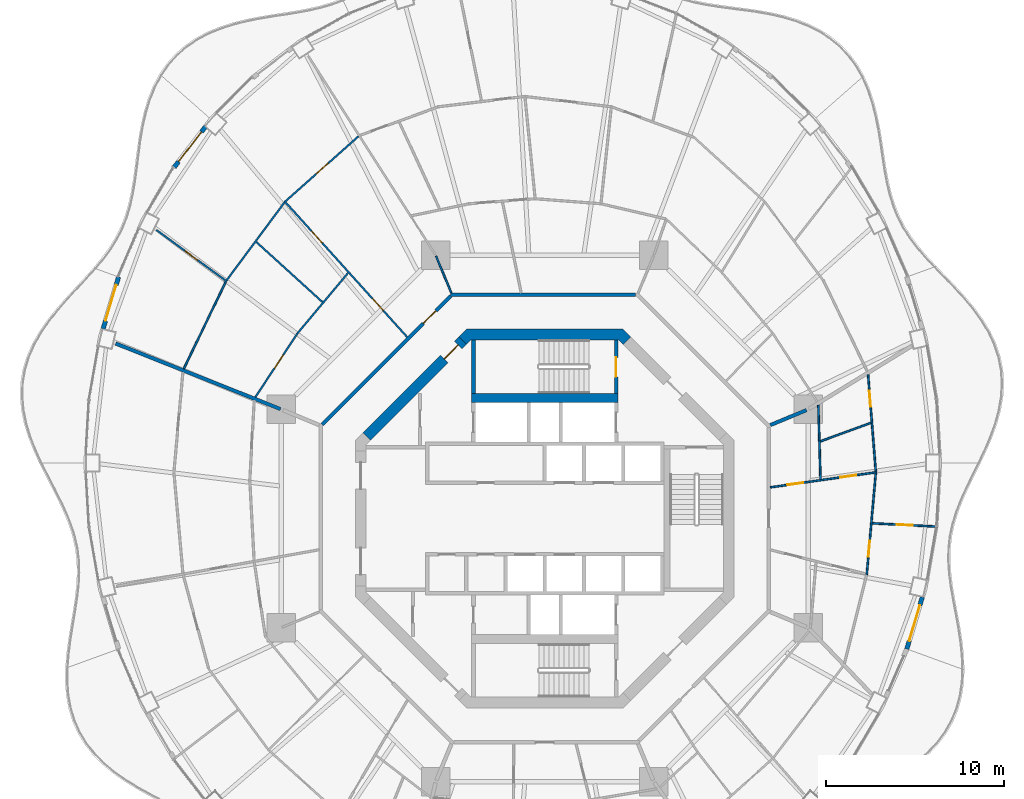
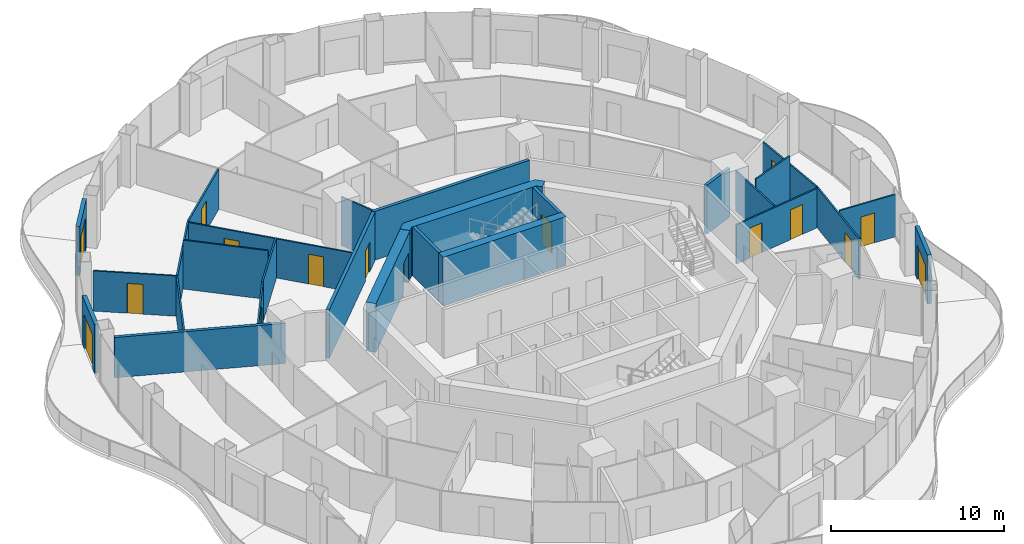
# One storey, part 13 of 18: 27 walls, 16 doors, 16 openings.
"""IFC4 building model written with IfcOpenShell, lengths in metres."""

from ifc_helpers import new_model, si_unit, direction, frame, frame_2d, origin, place, context, subcontext, project, spatial, polyline, rectangle, outline, extrude, material, layer, layer_set, type_object, element, fill, save


model = new_model("IFC4")

# Units and contexts
model_context = context("Model", 3, precision=1e-05, world=origin(), true_north=direction((0.0, 1.0)))
body_context = subcontext(model_context, "Body", "Model", "MODEL_VIEW")
ifc_project = project(units=[si_unit("LENGTHUNIT", "METRE"), si_unit("AREAUNIT", "SQUARE_METRE"), si_unit("VOLUMEUNIT", "CUBIC_METRE"), si_unit("PLANEANGLEUNIT", "RADIAN"), si_unit("MASSUNIT", "GRAM", prefix="KILO")], contexts=[model_context])

# Site, building, storey
site_placement = place(None, origin())
site = spatial("IfcSite", under=ifc_project, at=site_placement, CompositionType="ELEMENT")
building_placement = place(site_placement, origin())
building = spatial("IfcBuilding", under=site, at=building_placement, Name="Nagisa Residences", CompositionType="ELEMENT")
storey_placement = place(building_placement, frame((0.0, 0.0, 234.39990234375)))
storey = spatial("IfcBuildingStorey", under=building, at=storey_placement, Name="L59", CompositionType="ELEMENT", Elevation=234.39990234375)

# Walls
ifc_material_1 = material(Name="Gypsum board on steel studs", Category="steel")
ifc_layer_1 = layer(ifc_material_1, 0.199951171875)
ifc_layer_set_1 = layer_set([ifc_layer_1], Name="Apartment compartment wall EI60 200")
wall_type_1 = type_object("IfcWallType", Name="Apartment compartment wall EI60 200", PredefinedType="PARTITIONING", material=ifc_layer_set_1)
wall_1_placement = place(storey_placement, frame((12.6572265625, 5.24267578125, 0.0), z_axis=(0.0, 0.0, 1.0), x_axis=(0.92383017907, 0.382802560388, 0.0)))
element("IfcWall", 1, at=wall_1_placement, inside=storey, type_object=wall_type_1, Name="wall:L59:u00", PredefinedType="PARTITIONING", context=body_context, shape_type="SweptSolid", body=[
    extrude(rectangle(XDim=2.2001953125, YDim=0.199951171875, at=frame_2d((1.10009765625, 0.0))), origin(), (0.0, 0.0, 1.0), 3.440185546875),
])
wall_2_placement = place(storey_placement, frame((-14.82861328125, 6.141357421875, 0.0), z_axis=(0.0, 0.0, 1.0), x_axis=(-0.929202069098, 0.36957206981, 0.0)))
element("IfcWall", 2, at=wall_2_placement, inside=storey, type_object=wall_type_1, Name="wall:L59:u03", PredefinedType="PARTITIONING", context=body_context, shape_type="SweptSolid", body=[
    extrude(rectangle(XDim=9.95654296875, YDim=0.199951171875, at=frame_2d((4.978271484375, 0.0))), origin(), (0.0, 0.0, 1.0), 2.837158203125),
])
ifc_material_2 = material(Name="Gypsum board on steel studs", Category="steel")
ifc_layer_2 = layer(ifc_material_2, 0.199951171875)
ifc_layer_set_2 = layer_set([ifc_layer_2], Name="Apartment entry wall EI60 200")
wall_type_2 = type_object("IfcWallType", Name="Apartment entry wall EI60 200", PredefinedType="PARTITIONING", material=ifc_layer_set_2)
wall_3_placement = place(storey_placement, frame((5.1044921875, 12.564697265625, 0.0), z_axis=(0.0, 0.0, 1.0), x_axis=(-1.0, 0.0, 0.0)))
element("IfcWall", 3, at=wall_3_placement, inside=storey, type_object=wall_type_2, Name="wall:L59:u12", PredefinedType="PARTITIONING", context=body_context, shape_type="SweptSolid", body=[
    extrude(rectangle(XDim=10.408935546875, YDim=0.199951171875, at=frame_2d((5.20458984375, 0.0))), origin(), (0.0, 0.0, 1.0), 3.440185546875),
])

# Wall, opening, door
wall_4_placement = place(storey_placement, frame((-5.275146484375, 12.494140625, 0.0), z_axis=(0.0, 0.0, 1.0), x_axis=(-0.707106781187, -0.707106781187, 0.0)))
wall_4 = element("IfcWall", 4, at=wall_4_placement, inside=storey, type_object=wall_type_2, Name="wall:L59:u13", PredefinedType="PARTITIONING", context=body_context, shape_type="SweptSolid", body=[
    extrude(rectangle(XDim=10.209228515625, YDim=0.199951171875, at=frame_2d((5.1044921875, 0.0))), origin(), (0.0, 0.0, 1.0), 3.440185546875),
])
opening_1_placement = place(wall_4_placement, frame((1.184814453125, 0.0, 0.0)))
opening_1 = element("IfcOpeningElement", 5, at=opening_1_placement, cuts=wall_4, Name="Opening L59-U37", PredefinedType="OPENING", context=body_context, shape_type="SweptSolid", body=[
    extrude(rectangle(XDim=1.0, YDim=2.10009765625, at=frame_2d((0.5, 1.050048828125))), frame((0.0, 0.10986328125, 0.0), z_axis=(0.0, -1.0, 0.0), x_axis=(1.0, 0.0, 0.0)), (0.0, 0.0, 1.0), 0.219970703125),
])
ifc_material_3 = material(Name="Timber fire door set", Category="wood")
door_type_1 = type_object("IfcDoorType", Name="Apartment entry door FD30S 1000x2100", OperationType="NOTDEFINED", PredefinedType="DOOR", material=ifc_material_3)
door_1_placement = place(opening_1_placement, frame((1.0, 0.0, 0.0), x_axis=(-1.0, 0.0, 0.0)))
door_1 = element("IfcDoor", 6, at=door_1_placement, inside=storey, type_object=door_type_1, Name="Entry door, Apartment 59E", OperationType="SINGLE_SWING_RIGHT", OverallHeight=2.10009765625, OverallWidth=1.0, PredefinedType="DOOR", context=body_context, shape_type="SweptSolid", body=[
    extrude(rectangle(XDim=1.0, YDim=2.10009765625, at=frame_2d((0.5, 1.050048828125))), frame((0.0, 0.02490234375, 0.0), z_axis=(0.0, -1.0, 0.0), x_axis=(1.0, 0.0, 0.0)), (0.0, 0.0, 1.0), 0.050048828125),
])
fill(opening_1, door_1)

# Wall, openings, doors
ifc_material_4 = material(Name="Gypsum board on steel studs", Category="steel")
ifc_layer_3 = layer(ifc_material_4, 0.10009765625)
ifc_layer_set_3 = layer_set([ifc_layer_3], Name="Apartment partition 100")
wall_type_3 = type_object("IfcWallType", Name="Apartment partition 100", PredefinedType="PARTITIONING", material=ifc_layer_set_3)
wall_5_placement = place(storey_placement, frame((12.663818359375, 1.7490234375, 0.0), z_axis=(0.0, 0.0, 1.0), x_axis=(0.990000460163, 0.141064130369, 0.0)))
wall_5 = element("IfcWall", 7, at=wall_5_placement, inside=storey, type_object=wall_type_3, Name="wall:L59:u18", PredefinedType="PARTITIONING", context=body_context, shape_type="SweptSolid", body=[
    extrude(rectangle(XDim=6.028076171875, YDim=0.10009765625, at=frame_2d((3.01416015625, 0.0))), origin(), (0.0, 0.0, 1.0), 2.76220703125),
])
opening_2_placement = place(wall_5_placement, frame((0.970458984375, 0.0, 0.0)))
opening_2 = element("IfcOpeningElement", 8, at=opening_2_placement, cuts=wall_5, Name="Opening L59-U31", PredefinedType="OPENING", context=body_context, shape_type="SweptSolid", body=[
    extrude(rectangle(XDim=0.89990234375, YDim=2.10009765625, at=frame_2d((0.449951171875, 1.050048828125))), frame((0.0, 0.06005859375, 0.0), z_axis=(0.0, -1.0, 0.0), x_axis=(1.0, 0.0, 0.0)), (0.0, 0.0, 1.0), 0.1201171875),
])
opening_3_placement = place(wall_5_placement, frame((3.95947265625, 0.0, 0.0)))
opening_3 = element("IfcOpeningElement", 9, at=opening_3_placement, cuts=wall_5, Name="Opening L59-U33", PredefinedType="OPENING", context=body_context, shape_type="SweptSolid", body=[
    extrude(rectangle(XDim=0.89990234375, YDim=2.10009765625, at=frame_2d((0.449951171875, 1.050048828125))), frame((0.0, 0.06005859375, 0.0), z_axis=(0.0, -1.0, 0.0), x_axis=(1.0, 0.0, 0.0)), (0.0, 0.0, 1.0), 0.1201171875),
])
ifc_material_5 = material(Name="Timber door set", Category="wood")
door_type_2 = type_object("IfcDoorType", Name="Apartment door 900x2100", OperationType="NOTDEFINED", PredefinedType="DOOR", material=ifc_material_5)
door_2_placement = place(opening_2_placement, origin())
door_2 = element("IfcDoor", 10, at=door_2_placement, inside=storey, type_object=door_type_2, Name="Door to family bathroom, Apartment 59D", OperationType="SINGLE_SWING_LEFT", OverallHeight=2.10009765625, OverallWidth=0.89990234375, PredefinedType="DOOR", context=body_context, shape_type="SweptSolid", body=[
    extrude(rectangle(XDim=0.89990234375, YDim=2.10009765625, at=frame_2d((0.449951171875, 1.050048828125))), frame((0.0, 0.02490234375, 0.0), z_axis=(0.0, -1.0, 0.0), x_axis=(1.0, 0.0, 0.0)), (0.0, 0.0, 1.0), 0.050048828125),
])
fill(opening_2, door_2)
door_3_placement = place(opening_3_placement, origin())
door_3 = element("IfcDoor", 11, at=door_3_placement, inside=storey, type_object=door_type_2, Name="Door to family bathroom, Apartment 59D", OperationType="SINGLE_SWING_LEFT", OverallHeight=2.10009765625, OverallWidth=0.89990234375, PredefinedType="DOOR", context=body_context, shape_type="SweptSolid", body=[
    extrude(rectangle(XDim=0.89990234375, YDim=2.10009765625, at=frame_2d((0.449951171875, 1.050048828125))), frame((0.0, 0.02490234375, 0.0), z_axis=(0.0, -1.0, 0.0), x_axis=(1.0, 0.0, 0.0)), (0.0, 0.0, 1.0), 0.050048828125),
])
fill(opening_3, door_3)

# Wall
wall_6_placement = place(storey_placement, frame((15.474853515625, 2.19970703125, 0.0), z_axis=(0.0, 0.0, 1.0), x_axis=(-0.029254623973, 0.999571991893, 0.0)))
element("IfcWall", 12, at=wall_6_placement, inside=storey, type_object=wall_type_3, Name="wall:L59:u19", PredefinedType="PARTITIONING", context=body_context, shape_type="SweptSolid", body=[
    extrude(rectangle(XDim=4.172607421875, YDim=0.10009765625, at=frame_2d((2.08642578125, 0.0))), origin(), (0.0, 0.0, 1.0), 2.837158203125),
])

# Wall, opening, door
wall_7_placement = place(storey_placement, frame((18.578125, 2.64208984375, 0.0), z_axis=(0.0, 0.0, 1.0), x_axis=(-0.079188322924, 0.996859673932, 0.0)))
wall_7 = element("IfcWall", 13, at=wall_7_placement, inside=storey, type_object=wall_type_3, Name="wall:L59:u20", PredefinedType="PARTITIONING", context=body_context, shape_type="SweptSolid", body=[
    extrude(rectangle(XDim=5.453857421875, YDim=0.10009765625, at=frame_2d((2.72705078125, 0.0))), origin(), (0.0, 0.0, 1.0), 2.837158203125),
])
opening_4_placement = place(wall_7_placement, frame((3.653076171875, 0.0, 0.0)))
opening_4 = element("IfcOpeningElement", 14, at=opening_4_placement, cuts=wall_7, Name="Opening L59-U36", PredefinedType="OPENING", context=body_context, shape_type="SweptSolid", body=[
    extrude(rectangle(XDim=0.89990234375, YDim=2.10009765625, at=frame_2d((0.449951171875, 1.050048828125))), frame((0.0, 0.06005859375, 0.0), z_axis=(0.0, -1.0, 0.0), x_axis=(1.0, 0.0, 0.0)), (0.0, 0.0, 1.0), 0.1201171875),
])
door_4_placement = place(opening_4_placement, origin())
door_4 = element("IfcDoor", 15, at=door_4_placement, inside=storey, type_object=door_type_2, Name="Door to en-suite bathroom, Apartment 59D", OperationType="SINGLE_SWING_RIGHT", OverallHeight=2.10009765625, OverallWidth=0.89990234375, PredefinedType="DOOR", context=body_context, shape_type="SweptSolid", body=[
    extrude(rectangle(XDim=0.89990234375, YDim=2.10009765625, at=frame_2d((0.449951171875, 1.050048828125))), frame((0.0, 0.02490234375, 0.0), z_axis=(0.0, -1.0, 0.0), x_axis=(1.0, 0.0, 0.0)), (0.0, 0.0, 1.0), 0.050048828125),
])
fill(opening_4, door_4)

wall_8_placement = place(storey_placement, frame((18.57763671875, 2.54248046875, 0.0), z_axis=(0.0, 0.0, 1.0), x_axis=(-0.088651453697, -0.996062708748, 0.0)))
wall_8 = element("IfcWall", 16, at=wall_8_placement, inside=storey, type_object=wall_type_3, Name="wall:L59:u21", PredefinedType="PARTITIONING", context=body_context, shape_type="SweptSolid", body=[
    extrude(rectangle(XDim=5.736572265625, YDim=0.10009765625, at=frame_2d((2.8681640625, 0.0))), origin(), (0.0, 0.0, 1.0), 2.837158203125),
])
opening_5_placement = place(wall_8_placement, frame((3.80224609375, 0.0, 0.0)))
opening_5 = element("IfcOpeningElement", 17, at=opening_5_placement, cuts=wall_8, Name="Opening L59-U34", PredefinedType="OPENING", context=body_context, shape_type="SweptSolid", body=[
    extrude(rectangle(XDim=0.89990234375, YDim=2.10009765625, at=frame_2d((0.449951171875, 1.050048828125))), frame((0.0, 0.06005859375, 0.0), z_axis=(0.0, -1.0, 0.0), x_axis=(1.0, 0.0, 0.0)), (0.0, 0.0, 1.0), 0.1201171875),
])
door_5_placement = place(opening_5_placement, origin())
door_5 = element("IfcDoor", 18, at=door_5_placement, inside=storey, type_object=door_type_2, Name="Door to study, Apartment 59D", OperationType="SINGLE_SWING_RIGHT", OverallHeight=2.10009765625, OverallWidth=0.89990234375, PredefinedType="DOOR", context=body_context, shape_type="SweptSolid", body=[
    extrude(rectangle(XDim=0.89990234375, YDim=2.10009765625, at=frame_2d((0.449951171875, 1.050048828125))), frame((0.0, 0.02490234375, 0.0), z_axis=(0.0, -1.0, 0.0), x_axis=(1.0, 0.0, 0.0)), (0.0, 0.0, 1.0), 0.050048828125),
])
fill(opening_5, door_5)

# Walls
wall_9_placement = place(storey_placement, frame((15.4599609375, 4.327392578125, 0.0), z_axis=(0.0, 0.0, 1.0), x_axis=(0.939452643938, 0.342678755977, 0.0)))
element("IfcWall", 19, at=wall_9_placement, inside=storey, type_object=wall_type_3, Name="wall:L59:u22", PredefinedType="PARTITIONING", context=body_context, shape_type="SweptSolid", body=[
    extrude(rectangle(XDim=3.037109375, YDim=0.10009765625, at=frame_2d((1.5185546875, 0.0))), origin(), (0.0, 0.0, 1.0), 3.440185546875),
])
wall_10_placement = place(storey_placement, frame((-5.24267578125, 12.6572265625, 0.0), z_axis=(0.0, 0.0, 1.0), x_axis=(-0.382757529444, 0.923848837015, 0.0)))
element("IfcWall", 20, at=wall_10_placement, inside=storey, type_object=wall_type_3, Name="wall:L59:u48", PredefinedType="PARTITIONING", context=body_context, shape_type="SweptSolid", body=[
    extrude(rectangle(XDim=2.249755859375, YDim=0.10009765625, at=frame_2d((1.125, 0.0))), origin(), (0.0, 0.0, 1.0), 3.440185546875),
])

# Wall, opening, door
wall_11_placement = place(storey_placement, frame((-10.450439453125, 21.455322265625, 0.0), z_axis=(0.0, 0.0, 1.0), x_axis=(-0.747150931973, -0.66465441009, 0.0)))
wall_11 = element("IfcWall", 21, at=wall_11_placement, inside=storey, type_object=wall_type_3, Name="wall:L59:u50", PredefinedType="PARTITIONING", context=body_context, shape_type="SweptSolid", body=[
    extrude(rectangle(XDim=5.474853515625, YDim=0.10009765625, at=frame_2d((2.7373046875, 0.0))), origin(), (0.0, 0.0, 1.0), 2.837158203125),
])
opening_6_placement = place(wall_11_placement, frame((2.28759765625, 0.0, 0.0)))
opening_6 = element("IfcOpeningElement", 22, at=opening_6_placement, cuts=wall_11, Name="Opening L59-U45", PredefinedType="OPENING", context=body_context, shape_type="SweptSolid", body=[
    extrude(rectangle(XDim=0.89990234375, YDim=2.10009765625, at=frame_2d((0.449951171875, 1.050048828125))), frame((0.0, 0.06005859375, 0.0), z_axis=(0.0, -1.0, 0.0), x_axis=(1.0, 0.0, 0.0)), (0.0, 0.0, 1.0), 0.1201171875),
])
door_6_placement = place(opening_6_placement, frame((0.89990234375, 0.0, 0.0), x_axis=(-1.0, 0.0, 0.0)))
door_6 = element("IfcDoor", 23, at=door_6_placement, inside=storey, type_object=door_type_2, Name="Door to family room, Apartment 59E", OperationType="SINGLE_SWING_RIGHT", OverallHeight=2.10009765625, OverallWidth=0.89990234375, PredefinedType="DOOR", context=body_context, shape_type="SweptSolid", body=[
    extrude(rectangle(XDim=0.89990234375, YDim=2.10009765625, at=frame_2d((0.449951171875, 1.050048828125))), frame((0.0, 0.02490234375, 0.0), z_axis=(0.0, -1.0, 0.0), x_axis=(1.0, 0.0, 0.0)), (0.0, 0.0, 1.0), 0.050048828125),
])
fill(opening_6, door_6)

# Wall, openings, doors
wall_12_placement = place(storey_placement, frame((-7.724853515625, 10.185546875, 0.0), z_axis=(0.0, 0.0, 1.0), x_axis=(-0.669819599194, 0.742523874725, 0.0)))
wall_12 = element("IfcWall", 24, at=wall_12_placement, inside=storey, type_object=wall_type_3, Name="wall:L59:u51", PredefinedType="PARTITIONING", context=body_context, shape_type="SweptSolid", body=[
    extrude(rectangle(XDim=10.2822265625, YDim=0.10009765625, at=frame_2d((5.14111328125, 0.0))), origin(), (0.0, 0.0, 1.0), 2.76220703125),
])
opening_7_placement = place(wall_12_placement, frame((1.999755859375, 0.0, 0.0)))
opening_7 = element("IfcOpeningElement", 25, at=opening_7_placement, cuts=wall_12, Name="Opening L59-U39", PredefinedType="OPENING", context=body_context, shape_type="SweptSolid", body=[
    extrude(rectangle(XDim=0.89990234375, YDim=2.10009765625, at=frame_2d((0.449951171875, 1.050048828125))), frame((0.0, 0.06005859375, 0.0), z_axis=(0.0, -1.0, 0.0), x_axis=(1.0, 0.0, 0.0)), (0.0, 0.0, 1.0), 0.1201171875),
])
opening_8_placement = place(wall_12_placement, frame((7.11572265625, 0.0, 0.0)))
opening_8 = element("IfcOpeningElement", 26, at=opening_8_placement, cuts=wall_12, Name="Opening L59-U41", PredefinedType="OPENING", context=body_context, shape_type="SweptSolid", body=[
    extrude(rectangle(XDim=0.89990234375, YDim=2.10009765625, at=frame_2d((0.449951171875, 1.050048828125))), frame((0.0, 0.06005859375, 0.0), z_axis=(0.0, -1.0, 0.0), x_axis=(1.0, 0.0, 0.0)), (0.0, 0.0, 1.0), 0.1201171875),
])
door_7_placement = place(opening_7_placement, origin())
door_7 = element("IfcDoor", 27, at=door_7_placement, inside=storey, type_object=door_type_2, Name="Door to laundry, Apartment 59E", OperationType="SINGLE_SWING_LEFT", OverallHeight=2.10009765625, OverallWidth=0.89990234375, PredefinedType="DOOR", context=body_context, shape_type="SweptSolid", body=[
    extrude(rectangle(XDim=0.89990234375, YDim=2.10009765625, at=frame_2d((0.449951171875, 1.050048828125))), frame((0.0, 0.02490234375, 0.0), z_axis=(0.0, -1.0, 0.0), x_axis=(1.0, 0.0, 0.0)), (0.0, 0.0, 1.0), 0.050048828125),
])
fill(opening_7, door_7)
door_8_placement = place(opening_8_placement, origin())
door_8 = element("IfcDoor", 28, at=door_8_placement, inside=storey, type_object=door_type_2, Name="Door to family bathroom, Apartment 59E", OperationType="SINGLE_SWING_LEFT", OverallHeight=2.10009765625, OverallWidth=0.89990234375, PredefinedType="DOOR", context=body_context, shape_type="SweptSolid", body=[
    extrude(rectangle(XDim=0.89990234375, YDim=2.10009765625, at=frame_2d((0.449951171875, 1.050048828125))), frame((0.0, 0.02490234375, 0.0), z_axis=(0.0, -1.0, 0.0), x_axis=(1.0, 0.0, 0.0)), (0.0, 0.0, 1.0), 0.050048828125),
])
fill(opening_8, door_8)

# Walls
wall_13_placement = place(storey_placement, frame((-11.03857421875, 13.78515625, 0.0), z_axis=(0.0, 0.0, 1.0), x_axis=(-0.642254625966, -0.766491353784, 0.0)))
element("IfcWall", 29, at=wall_13_placement, inside=storey, type_object=wall_type_3, Name="wall:L59:u52", PredefinedType="PARTITIONING", context=body_context, shape_type="SweptSolid", body=[
    extrude(rectangle(XDim=4.4609375, YDim=0.10009765625, at=frame_2d((2.23046875, 0.0))), origin(), (0.0, 0.0, 1.0), 2.837158203125),
])
wall_14_placement = place(storey_placement, frame((-14.608154296875, 17.7431640625, 0.0), z_axis=(0.0, 0.0, 1.0), x_axis=(-0.596174489482, -0.8028548923, 0.0)))
element("IfcWall", 30, at=wall_14_placement, inside=storey, type_object=wall_type_3, Name="wall:L59:u53", PredefinedType="PARTITIONING", context=body_context, shape_type="SweptSolid", body=[
    extrude(rectangle(XDim=5.44189453125, YDim=0.10009765625, at=frame_2d((2.720947265625, 0.0))), origin(), (0.0, 0.0, 1.0), 2.837158203125),
])
wall_15_placement = place(storey_placement, frame((-12.47607421875, 12.1474609375, 0.0), z_axis=(0.0, 0.0, 1.0), x_axis=(-0.740129203525, 0.672464692077, 0.0)))
element("IfcWall", 31, at=wall_15_placement, inside=storey, type_object=wall_type_3, Name="wall:L59:u54", PredefinedType="PARTITIONING", context=body_context, shape_type="SweptSolid", body=[
    extrude(rectangle(XDim=5.0224609375, YDim=0.10009765625, at=frame_2d((2.51123046875, 0.0))), origin(), (0.0, 0.0, 1.0), 3.440185546875),
])

# Wall, opening, door
wall_16_placement = place(storey_placement, frame((-13.899169921875, 10.362548828125, 0.0), z_axis=(0.0, 0.0, 1.0), x_axis=(-0.551267958114, -0.834328255758, 0.0)))
wall_16 = element("IfcWall", 32, at=wall_16_placement, inside=storey, type_object=wall_type_3, Name="wall:L59:u55", PredefinedType="PARTITIONING", context=body_context, shape_type="SweptSolid", body=[
    extrude(rectangle(XDim=4.25732421875, YDim=0.10009765625, at=frame_2d((2.128662109375, 0.0))), origin(), (0.0, 0.0, 1.0), 2.837158203125),
])
opening_9_placement = place(wall_16_placement, frame((1.4130859375, 0.0, 0.0)))
opening_9 = element("IfcOpeningElement", 33, at=opening_9_placement, cuts=wall_16, Name="Opening L59-U42", PredefinedType="OPENING", context=body_context, shape_type="SweptSolid", body=[
    extrude(rectangle(XDim=0.89990234375, YDim=2.10009765625, at=frame_2d((0.449951171875, 1.050048828125))), frame((0.0, 0.06005859375, 0.0), z_axis=(0.0, -1.0, 0.0), x_axis=(1.0, 0.0, 0.0)), (0.0, 0.0, 1.0), 0.1201171875),
])
door_9_placement = place(opening_9_placement, frame((0.89990234375, 0.0, 0.0), x_axis=(-1.0, 0.0, 0.0)))
door_9 = element("IfcDoor", 34, at=door_9_placement, inside=storey, type_object=door_type_2, Name="Door to kitchen, Apartment 59E", OperationType="SINGLE_SWING_LEFT", OverallHeight=2.10009765625, OverallWidth=0.89990234375, PredefinedType="DOOR", context=body_context, shape_type="SweptSolid", body=[
    extrude(rectangle(XDim=0.89990234375, YDim=2.10009765625, at=frame_2d((0.449951171875, 1.050048828125))), frame((0.0, 0.02490234375, 0.0), z_axis=(0.0, -1.0, 0.0), x_axis=(1.0, 0.0, 0.0)), (0.0, 0.0, 1.0), 0.050048828125),
])
fill(opening_9, door_9)

wall_17_placement = place(storey_placement, frame((-17.842041015625, 13.304443359375, 0.0), z_axis=(0.0, 0.0, 1.0), x_axis=(-0.807541617862, 0.589810592835, 0.0)))
wall_17 = element("IfcWall", 35, at=wall_17_placement, inside=storey, type_object=wall_type_3, Name="wall:L59:u56", PredefinedType="PARTITIONING", context=body_context, shape_type="SweptSolid", body=[
    extrude(rectangle(XDim=4.9033203125, YDim=0.10009765625, at=frame_2d((2.45166015625, 0.0))), origin(), (0.0, 0.0, 1.0), 2.837158203125),
])
opening_10_placement = place(wall_17_placement, frame((2.02685546875, 0.0, 0.0)))
opening_10 = element("IfcOpeningElement", 36, at=opening_10_placement, cuts=wall_17, Name="Opening L59-U46", PredefinedType="OPENING", context=body_context, shape_type="SweptSolid", body=[
    extrude(rectangle(XDim=0.89990234375, YDim=2.10009765625, at=frame_2d((0.449951171875, 1.050048828125))), frame((0.0, 0.06005859375, 0.0), z_axis=(0.0, -1.0, 0.0), x_axis=(1.0, 0.0, 0.0)), (0.0, 0.0, 1.0), 0.1201171875),
])
door_10_placement = place(opening_10_placement, origin())
door_10 = element("IfcDoor", 37, at=door_10_placement, inside=storey, type_object=door_type_2, Name="Door to master bedroom, Apartment 59E", OperationType="SINGLE_SWING_RIGHT", OverallHeight=2.10009765625, OverallWidth=0.89990234375, PredefinedType="DOOR", context=body_context, shape_type="SweptSolid", body=[
    extrude(rectangle(XDim=0.89990234375, YDim=2.10009765625, at=frame_2d((0.449951171875, 1.050048828125))), frame((0.0, 0.02490234375, 0.0), z_axis=(0.0, -1.0, 0.0), x_axis=(1.0, 0.0, 0.0)), (0.0, 0.0, 1.0), 0.050048828125),
])
fill(opening_10, door_10)

# Wall
wall_18_placement = place(storey_placement, frame((-17.904052734375, 13.288818359375, 0.0), z_axis=(0.0, 0.0, 1.0), x_axis=(-0.43429918566, -0.900768681369, 0.0)))
element("IfcWall", 38, at=wall_18_placement, inside=storey, type_object=wall_type_3, Name="wall:L59:u57", PredefinedType="PARTITIONING", context=body_context, shape_type="SweptSolid", body=[
    extrude(rectangle(XDim=5.41845703125, YDim=0.10009765625, at=frame_2d((2.709228515625, 0.0))), origin(), (0.0, 0.0, 1.0), 2.837158203125),
])

# Wall, opening, door
wall_19_placement = place(storey_placement, frame((18.377685546875, -0.26708984375, 0.0), z_axis=(0.0, 0.0, 1.0), x_axis=(0.998670331817, -0.051551608585, 0.0)))
wall_19 = element("IfcWall", 39, at=wall_19_placement, inside=storey, type_object=wall_type_3, Name="wall:L59:u94", PredefinedType="PARTITIONING", context=body_context, shape_type="SweptSolid", body=[
    extrude(rectangle(XDim=3.6513671875, YDim=0.10009765625, at=frame_2d((1.82568359375, 0.0))), origin(), (0.0, 0.0, 1.0), 2.983154296875),
])
opening_11_placement = place(wall_19_placement, frame((1.37548828125, 0.0, 0.0)))
opening_11 = element("IfcOpeningElement", 40, at=opening_11_placement, cuts=wall_19, Name="Opening L59-U35", PredefinedType="OPENING", context=body_context, shape_type="SweptSolid", body=[
    extrude(rectangle(XDim=0.89990234375, YDim=2.10009765625, at=frame_2d((0.449951171875, 1.050048828125))), frame((0.0, 0.06005859375, 0.0), z_axis=(0.0, -1.0, 0.0), x_axis=(1.0, 0.0, 0.0)), (0.0, 0.0, 1.0), 0.1201171875),
])
door_11_placement = place(opening_11_placement, origin())
door_11 = element("IfcDoor", 41, at=door_11_placement, inside=storey, type_object=door_type_2, Name="Door to bedroom, Apartment 59D", OperationType="SINGLE_SWING_LEFT", OverallHeight=2.10009765625, OverallWidth=0.89990234375, PredefinedType="DOOR", context=body_context, shape_type="SweptSolid", body=[
    extrude(rectangle(XDim=0.89990234375, YDim=2.10009765625, at=frame_2d((0.449951171875, 1.050048828125))), frame((0.0, 0.02490234375, 0.0), z_axis=(0.0, -1.0, 0.0), x_axis=(1.0, 0.0, 0.0)), (0.0, 0.0, 1.0), 0.050048828125),
])
fill(opening_11, door_11)

ifc_material_6 = material(Name="Precast concrete C40/50", Category="concrete")
ifc_layer_4 = layer(ifc_material_6, 0.25)
ifc_layer_set_4 = layer_set([ifc_layer_4], Name="BALCONY DOOR WALL 250")
wall_type_4 = type_object("IfcWallType", Name="BALCONY DOOR WALL 250", PredefinedType="SOLIDWALL", material=ifc_layer_set_4)
wall_20_placement = place(storey_placement, frame((-20.797119140625, 19.71533203125, 0.0), z_axis=(0.0, 0.0, 1.0), x_axis=(0.610438565676, 0.792063607001, 0.0)))
wall_20 = element("IfcWall", 42, at=wall_20_placement, inside=storey, type_object=wall_type_4, Name="wall:L59:bay18", PredefinedType="SOLIDWALL", context=body_context, shape_type="SweptSolid", body=[
    extrude(rectangle(XDim=2.90087890625, YDim=0.25, at=frame_2d((1.450439453125, 0.0))), origin(), (0.0, 0.0, 1.0), 3.440185546875),
])
opening_12_placement = place(wall_20_placement, frame((0.400390625, 0.0, 0.0)))
opening_12 = element("IfcOpeningElement", 43, at=opening_12_placement, cuts=wall_20, Name="Opening BD-L59-07", PredefinedType="OPENING", context=body_context, shape_type="SweptSolid", body=[
    extrude(rectangle(XDim=2.10009765625, YDim=2.39990234375, at=frame_2d((1.050048828125, 1.199951171875))), frame((0.0, 0.135009765625, 0.0), z_axis=(0.0, -1.0, 0.0), x_axis=(1.0, 0.0, 0.0)), (0.0, 0.0, 1.0), 0.27001953125),
])
ifc_material_7 = material(Name="Aluminium and clear glass", Category="aluminium")
door_type_3 = type_object("IfcDoorType", Name="BALCONY SLIDING DOOR 2100x2400", OperationType="SLIDING_TO_LEFT", PredefinedType="DOOR", material=ifc_material_7)
door_12_placement = place(opening_12_placement, origin())
door_12 = element("IfcDoor", 44, at=door_12_placement, inside=storey, type_object=door_type_3, Name="door:L59:bay18", OperationType="SLIDING_TO_LEFT", OverallHeight=2.39990234375, OverallWidth=2.10009765625, PredefinedType="DOOR", context=body_context, shape_type="SweptSolid", body=[
    extrude(rectangle(XDim=2.10009765625, YDim=2.39990234375, at=frame_2d((1.050048828125, 1.199951171875))), frame((0.0, 0.02490234375, 0.0), z_axis=(0.0, -1.0, 0.0), x_axis=(1.0, 0.0, 0.0)), (0.0, 0.0, 1.0), 0.050048828125),
])
fill(opening_12, door_12)

wall_21_placement = place(storey_placement, frame((-24.787109375, 10.650146484375, 0.0), z_axis=(0.0, 0.0, 1.0), x_axis=(0.285859454825, 0.95827155446, 0.0)))
wall_21 = element("IfcWall", 45, at=wall_21_placement, inside=storey, type_object=wall_type_4, Name="wall:L59:bay21", PredefinedType="SOLIDWALL", context=body_context, shape_type="SweptSolid", body=[
    extrude(rectangle(XDim=3.04052734375, YDim=0.25, at=frame_2d((1.520263671875, 0.0))), origin(), (0.0, 0.0, 1.0), 3.440185546875),
])
opening_13_placement = place(wall_21_placement, frame((0.47021484375, 0.0, 0.0)))
opening_13 = element("IfcOpeningElement", 46, at=opening_13_placement, cuts=wall_21, Name="Opening BD-L59-08", PredefinedType="OPENING", context=body_context, shape_type="SweptSolid", body=[
    extrude(rectangle(XDim=2.10009765625, YDim=2.39990234375, at=frame_2d((1.050048828125, 1.199951171875))), frame((0.0, 0.135009765625, 0.0), z_axis=(0.0, -1.0, 0.0), x_axis=(1.0, 0.0, 0.0)), (0.0, 0.0, 1.0), 0.27001953125),
])
door_13_placement = place(opening_13_placement, origin())
door_13 = element("IfcDoor", 47, at=door_13_placement, inside=storey, type_object=door_type_3, Name="door:L59:bay21", OperationType="SLIDING_TO_LEFT", OverallHeight=2.39990234375, OverallWidth=2.10009765625, PredefinedType="DOOR", context=body_context, shape_type="SweptSolid", body=[
    extrude(rectangle(XDim=2.10009765625, YDim=2.39990234375, at=frame_2d((1.050048828125, 1.199951171875))), frame((0.0, 0.02490234375, 0.0), z_axis=(0.0, -1.0, 0.0), x_axis=(1.0, 0.0, 0.0)), (0.0, 0.0, 1.0), 0.050048828125),
])
fill(opening_13, door_13)

wall_22_placement = place(storey_placement, frame((21.18701171875, -4.414794921875, 0.0), z_axis=(0.0, 0.0, 1.0), x_axis=(-0.285785716255, -0.958293548128, 0.0)))
wall_22 = element("IfcWall", 48, at=wall_22_placement, inside=storey, type_object=wall_type_4, Name="wall:L59:bay45", PredefinedType="SOLIDWALL", context=body_context, shape_type="SweptSolid", body=[
    extrude(rectangle(XDim=3.040283203125, YDim=0.25, at=frame_2d((1.52001953125, 0.0))), origin(), (0.0, 0.0, 1.0), 3.440185546875),
])
opening_14_placement = place(wall_22_placement, frame((0.47021484375, 0.0, 0.0)))
opening_14 = element("IfcOpeningElement", 49, at=opening_14_placement, cuts=wall_22, Name="Opening BD-L59-16", PredefinedType="OPENING", context=body_context, shape_type="SweptSolid", body=[
    extrude(rectangle(XDim=2.10009765625, YDim=2.39990234375, at=frame_2d((1.050048828125, 1.199951171875))), frame((0.0, 0.135009765625, 0.0), z_axis=(0.0, -1.0, 0.0), x_axis=(1.0, 0.0, 0.0)), (0.0, 0.0, 1.0), 0.27001953125),
])
door_14_placement = place(opening_14_placement, origin())
door_14 = element("IfcDoor", 50, at=door_14_placement, inside=storey, type_object=door_type_3, Name="door:L59:bay45", OperationType="SLIDING_TO_LEFT", OverallHeight=2.39990234375, OverallWidth=2.10009765625, PredefinedType="DOOR", context=body_context, shape_type="SweptSolid", body=[
    extrude(rectangle(XDim=2.10009765625, YDim=2.39990234375, at=frame_2d((1.050048828125, 1.199951171875))), frame((0.0, 0.02490234375, 0.0), z_axis=(0.0, -1.0, 0.0), x_axis=(1.0, 0.0, 0.0)), (0.0, 0.0, 1.0), 0.050048828125),
])
fill(opening_14, door_14)

ifc_material_8 = material(Name="Concrete C60", Category="concrete")
ifc_layer_5 = layer(ifc_material_8, 0.60009765625)
ifc_layer_set_5 = layer_set([ifc_layer_5], Name="Core shear wall 600")
wall_type_5 = type_object("IfcWallType", Name="Core shear wall 600", PredefinedType="SHEAR", material=ifc_layer_set_5)
wall_23_placement = place(storey_placement, frame((-4.613037109375, 9.98828125, 0.0), z_axis=(0.0, 0.0, 1.0), x_axis=(-0.707106781187, -0.707106781187, 0.0)))
wall_23 = element("IfcWall", 51, at=wall_23_placement, inside=storey, type_object=wall_type_5, Name="wall:L59:core:flat3", PredefinedType="SHEAR", context=body_context, shape_type="SweptSolid", body=[
    extrude(rectangle(XDim=7.601806640625, YDim=0.60009765625, at=frame_2d((3.80078125, 0.0))), origin(), (0.0, 0.0, 1.0), 3.440185546875),
])
opening_15_placement = place(wall_23_placement, frame((0.350830078125, 0.0, 0.0)))
opening_15 = element("IfcOpeningElement", 52, at=opening_15_placement, cuts=wall_23, Name="Opening L59-C21", PredefinedType="OPENING", context=body_context, shape_type="SweptSolid", body=[
    extrude(rectangle(XDim=1.10009765625, YDim=2.10009765625, at=frame_2d((0.550048828125, 1.050048828125))), frame((0.0, 0.31005859375, 0.0), z_axis=(0.0, -1.0, 0.0), x_axis=(1.0, 0.0, 0.0)), (0.0, 0.0, 1.0), 0.6201171875),
])
ifc_material_9 = material(Name="Steel fire door", Category="steel")
door_type_4 = type_object("IfcDoorType", Name="Fire door EI60 1100x2100 single swing", OperationType="NOTDEFINED", PredefinedType="DOOR", material=ifc_material_9)
door_15_placement = place(opening_15_placement, origin())
door_15 = element("IfcDoor", 53, at=door_15_placement, inside=storey, type_object=door_type_4, Name="Service lobby door L59", OperationType="SINGLE_SWING_LEFT", OverallHeight=2.10009765625, OverallWidth=1.10009765625, PredefinedType="DOOR", context=body_context, shape_type="SweptSolid", body=[
    extrude(rectangle(XDim=1.10009765625, YDim=2.10009765625, at=frame_2d((0.550048828125, 1.050048828125))), frame((0.0, 0.02490234375, 0.0), z_axis=(0.0, -1.0, 0.0), x_axis=(1.0, 0.0, 0.0)), (0.0, 0.0, 1.0), 0.050048828125),
])
fill(opening_15, door_15)

# Wall
wall_24_placement = place(storey_placement, origin())
element("IfcWall", 54, at=wall_24_placement, inside=storey, type_object=wall_type_5, Name="wall:L59:core:flat2", PredefinedType="SHEAR", context=body_context, shape_type="SweptSolid", body=[
    extrude(outline(polyline([(-4.15234375, 10.024658203125), (-4.40087890625, 9.776123046875), (-4.8251953125, 10.200439453125), (-4.40087890625, 10.62451171875), (4.40087890625, 10.62451171875), (4.8251953125, 10.200439453125), (4.40087890625, 9.776123046875), (4.15234375, 10.024658203125), (-4.15234375, 10.024658203125)])), origin(), (0.0, 0.0, 1.0), 3.440185546875),
])

# Wall, opening, door
ifc_material_10 = material(Name="Concrete C60", Category="concrete")
ifc_layer_6 = layer(ifc_material_10, 0.199951171875)
ifc_layer_set_6 = layer_set([ifc_layer_6], Name="Stair enclosure wall 200")
wall_type_6 = type_object("IfcWallType", Name="Stair enclosure wall 200", PredefinedType="SOLIDWALL", material=ifc_layer_set_6)
wall_25_placement = place(storey_placement, frame((4.0, 7.024658203125, 0.0), z_axis=(0.0, 0.0, 1.0), x_axis=(0.0, 1.0, 0.0)))
wall_25 = element("IfcWall", 55, at=wall_25_placement, inside=storey, type_object=wall_type_6, Name="wall:L59:SN_e", PredefinedType="SOLIDWALL", context=body_context, shape_type="SweptSolid", body=[
    extrude(rectangle(XDim=3.0, YDim=0.199951171875, at=frame_2d((1.5, 0.0))), origin(), (0.0, 0.0, 1.0), 3.440185546875),
])
opening_16_placement = place(wall_25_placement, frame((0.92529296875, 0.0, 0.0)))
opening_16 = element("IfcOpeningElement", 56, at=opening_16_placement, cuts=wall_25, Name="Opening L59-C09", PredefinedType="OPENING", context=body_context, shape_type="SweptSolid", body=[
    extrude(rectangle(XDim=1.10009765625, YDim=2.10009765625, at=frame_2d((0.550048828125, 1.050048828125))), frame((0.0, 0.10986328125, 0.0), z_axis=(0.0, -1.0, 0.0), x_axis=(1.0, 0.0, 0.0)), (0.0, 0.0, 1.0), 0.219970703125),
])
ifc_material_11 = material(Name="Steel fire door", Category="steel")
door_type_5 = type_object("IfcDoorType", Name="Fire door EI90 1100x2100 single swing", OperationType="NOTDEFINED", PredefinedType="DOOR", material=ifc_material_11)
door_16_placement = place(opening_16_placement, origin())
door_16 = element("IfcDoor", 57, at=door_16_placement, inside=storey, type_object=door_type_5, Name="Stair door ST-N L59", OperationType="SINGLE_SWING_RIGHT", OverallHeight=2.10009765625, OverallWidth=1.10009765625, PredefinedType="DOOR", context=body_context, shape_type="SweptSolid", body=[
    extrude(rectangle(XDim=1.10009765625, YDim=2.10009765625, at=frame_2d((0.550048828125, 1.050048828125))), frame((0.0, 0.02490234375, 0.0), z_axis=(0.0, -1.0, 0.0), x_axis=(1.0, 0.0, 0.0)), (0.0, 0.0, 1.0), 0.050048828125),
])
fill(opening_16, door_16)

# Walls
wall_26_placement = place(storey_placement, origin())
element("IfcWall", 58, at=wall_26_placement, inside=storey, type_object=wall_type_6, Name="wall:L59:SN_w", PredefinedType="SOLIDWALL", context=body_context, shape_type="SweptSolid", body=[
    extrude(outline(polyline([(-3.89990234375, 7.024658203125), (-4.10009765625, 7.024658203125), (-4.10009765625, 10.024658203125), (-3.89990234375, 10.024658203125), (-3.89990234375, 7.024658203125)])), origin(), (0.0, 0.0, 1.0), 3.440185546875),
])
wall_27_placement = place(storey_placement, origin())
element("IfcWall", 59, at=wall_27_placement, inside=storey, type_object=wall_type_6, Name="wall:L59:SN_s", PredefinedType="SOLIDWALL", context=body_context, shape_type="SweptSolid", body=[
    extrude(outline(polyline([(4.10009765625, 6.5), (-4.10009765625, 6.5), (-4.10009765625, 7.024658203125), (4.10009765625, 7.024658203125), (4.10009765625, 6.5)])), origin(), (0.0, 0.0, 1.0), 3.440185546875),
])

save(model, "model.ifc")
